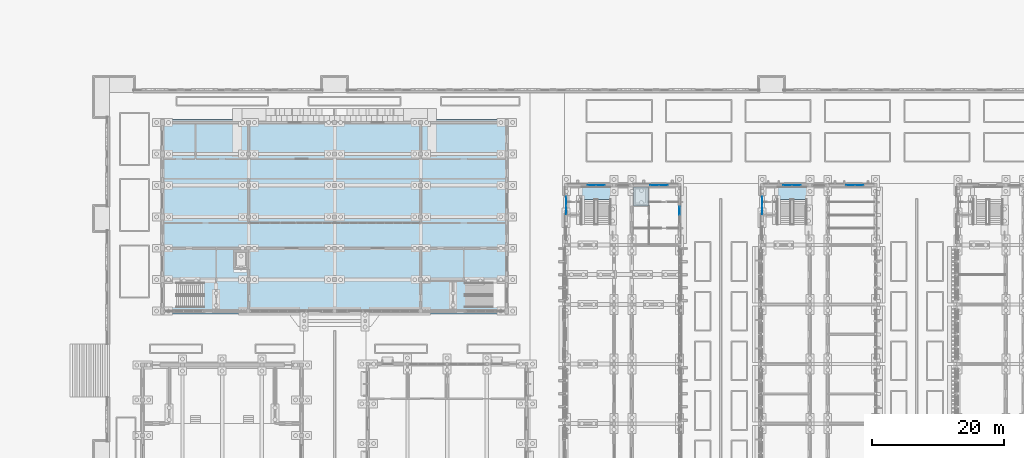
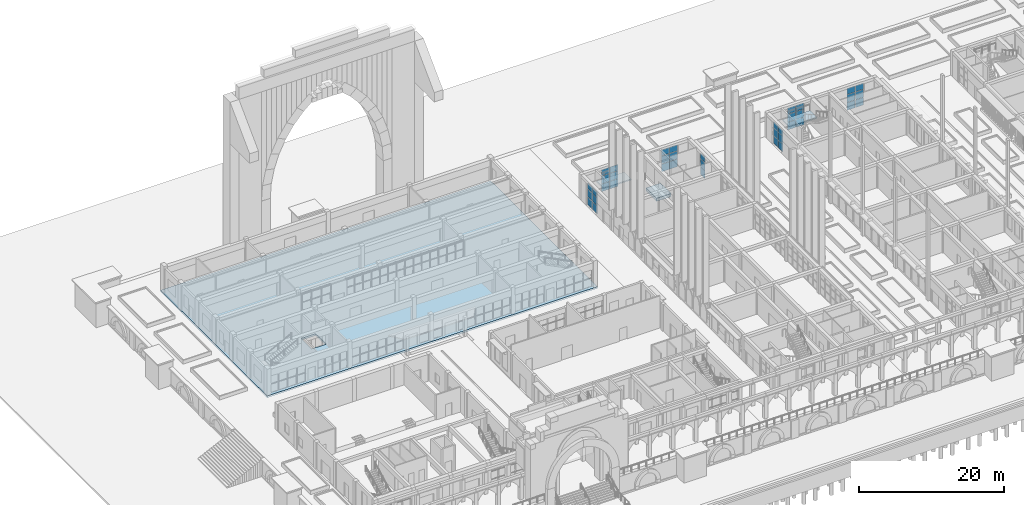
# One storey, part 48 of 161: 39 plates, 4 slabs, 9 elements without a shape of their own.
"""IFC4 building model written with IfcOpenShell, lengths in metres."""

from ifc_helpers import new_model, si_unit, direction, frame, origin, origin_2d, place, context, subcontext, project, spatial, polyline, rectangle, outline, extrude, material, layer, layer_set, type_object, element, aggregate, save


model = new_model("IFC4")

# Units and contexts
model_context = context("Model", 3, precision=1e-05, world=origin(), true_north=direction((0.0, 1.0)))
body_context = subcontext(model_context, "Body", "Model", "MODEL_VIEW")
ifc_project = project(units=[si_unit("LENGTHUNIT", "METRE"), si_unit("AREAUNIT", "SQUARE_METRE"), si_unit("VOLUMEUNIT", "CUBIC_METRE"), si_unit("PLANEANGLEUNIT", "RADIAN"), si_unit("MASSUNIT", "GRAM", prefix="KILO")], contexts=[model_context])

# Site, building, storey
site_placement = place(None, origin())
site = spatial("IfcSite", under=ifc_project, at=site_placement, CompositionType="ELEMENT")
building_placement = place(site_placement, origin())
building = spatial("IfcBuilding", under=site, at=building_placement, Name="Elbe Cascade School", CompositionType="ELEMENT")
storey_placement = place(building_placement, origin())
storey = spatial("IfcBuildingStorey", under=building, at=storey_placement, Name="L00", CompositionType="ELEMENT", Elevation=0.0)

# Stair, slab
ifc_material_1 = material(Name="Concrete C30/37", Category="concrete")
stair_type = type_object("IfcStairType", Name="Bar stair RC 150", PredefinedType="HALF_TURN_STAIR", material=ifc_material_1)
stair_1_placement = place(storey_placement, origin())
stair_1 = element("IfcStair", 1, at=stair_1_placement, inside=storey, type_object=stair_type, Name="Stair A0.N", PredefinedType="HALF_TURN_STAIR")
ifc_material_2 = material(Name="Concrete C30/37", Category="concrete")
ifc_layer_1 = layer(ifc_material_2, 0.199951171875)
ifc_layer_set_1 = layer_set([ifc_layer_1], Name="Concrete C30/37")
slab_type_1 = type_object("IfcSlabType", Name="Bar stair landing RC 200", PredefinedType="LANDING", material=ifc_layer_set_1)
slab_1_placement = place(storey_placement, frame((0.0, 0.0, 2.050048828125)))
slab_1 = element("IfcSlab", 2, at=slab_1_placement, type_object=slab_type_1, Name="ST3 landing 1", PredefinedType="LANDING", context=body_context, shape_type="SweptSolid", body=[
    extrude(outline(polyline([(71.300048828125, 57.8701171875), (75.699951171875, 57.8701171875), (75.699951171875, 59.820068359375), (71.300048828125, 59.820068359375), (71.300048828125, 57.8701171875)])), origin(), (0.0, 0.0, 1.0), 0.199951171875),
])
aggregate(stair_1, [slab_1])

stair_2_placement = place(storey_placement, origin())
stair_2 = element("IfcStair", 3, at=stair_2_placement, inside=storey, type_object=stair_type, Name="Stair B0.N", PredefinedType="HALF_TURN_STAIR")
slab_2_placement = place(storey_placement, frame((0.0, 0.0, 2.050048828125)))
slab_2 = element("IfcSlab", 4, at=slab_2_placement, type_object=slab_type_1, Name="ST3 landing 1", PredefinedType="LANDING", context=body_context, shape_type="SweptSolid", body=[
    extrude(outline(polyline([(100.89990234375, 57.8701171875), (105.300048828125, 57.8701171875), (105.300048828125, 59.820068359375), (100.89990234375, 59.820068359375), (100.89990234375, 57.8701171875)])), origin(), (0.0, 0.0, 1.0), 0.199951171875),
])
aggregate(stair_2, [slab_2])

# Curtain wall, plates
ifc_material_3 = material(Name="Aluminium frame with double glazing, bronze anodised", Category="aluminium")
ifc_layer_2 = layer(ifc_material_3, 0.199951171875)
ifc_layer_set_2 = layer_set([ifc_layer_2], Name="Aluminium frame with double glazing, bronze anodised")
curtain_wall_type = type_object("IfcCurtainWallType", Name="Bars envelope Curtain wall, aluminium, bronze anodised, ground floor tall run", PredefinedType="NOTDEFINED", material=ifc_layer_set_2)
curtain_wall_1_placement = place(storey_placement, origin())
curtain_wall_1 = element("IfcCurtainWall", 5, at=curtain_wall_1_placement, inside=storey, type_object=curtain_wall_type, Name="Curtain wall CW3 A.L00.w6", PredefinedType="NOTDEFINED")
ifc_material_4 = material(Name="Glass - double glazed low-E", Category="glass")
ifc_layer_3 = layer(ifc_material_4, 0.035888671875)
ifc_layer_set_3 = layer_set([ifc_layer_3], Name="Glass - double glazed low-E")
plate_type = type_object("IfcPlateType", Name="Bars envelope Curtain wall glazing panel 36 mm, double glazed, ground floor tall run", PredefinedType="CURTAIN_PANEL", material=ifc_layer_set_3)
plate_1_placement = place(storey_placement, frame((69.0, 56.300048828125, 0.06005859375), z_axis=(0.0, 0.0, 1.0), x_axis=(0.0, 1.0, 0.0)))
plate_1 = element("IfcPlate", 6, at=plate_1_placement, type_object=plate_type, Name="CW3 panel 1.1", PredefinedType="CURTAIN_PANEL", context=body_context, shape_type="SweptSolid", body=[
    extrude(rectangle(XDim=1.260009765625, YDim=0.035888671875, at=origin_2d()), origin(), (0.0, 0.0, 1.0), 1.260009765625),
])
plate_2_placement = place(storey_placement, frame((69.0, 56.300048828125, 1.3798828125), z_axis=(0.0, 0.0, 1.0), x_axis=(0.0, 1.0, 0.0)))
plate_2 = element("IfcPlate", 7, at=plate_2_placement, type_object=plate_type, Name="CW3 panel 1.2", PredefinedType="CURTAIN_PANEL", context=body_context, shape_type="SweptSolid", body=[
    extrude(rectangle(XDim=1.260009765625, YDim=0.035888671875, at=origin_2d()), origin(), (0.0, 0.0, 1.0), 1.2900390625),
])
plate_3_placement = place(storey_placement, frame((69.0, 56.300048828125, 2.72998046875), z_axis=(0.0, 0.0, 1.0), x_axis=(0.0, 1.0, 0.0)))
plate_3 = element("IfcPlate", 8, at=plate_3_placement, type_object=plate_type, Name="CW3 panel 1.3", PredefinedType="CURTAIN_PANEL", context=body_context, shape_type="SweptSolid", body=[
    extrude(rectangle(XDim=1.260009765625, YDim=0.035888671875, at=origin_2d()), origin(), (0.0, 0.0, 1.0), 0.9599609375),
])
plate_4_placement = place(storey_placement, frame((69.0, 57.6201171875, 0.06005859375), z_axis=(0.0, 0.0, 1.0), x_axis=(0.0, 1.0, 0.0)))
plate_4 = element("IfcPlate", 9, at=plate_4_placement, type_object=plate_type, Name="CW3 panel 2.1", PredefinedType="CURTAIN_PANEL", context=body_context, shape_type="SweptSolid", body=[
    extrude(rectangle(XDim=1.260009765625, YDim=0.035888671875, at=origin_2d()), origin(), (0.0, 0.0, 1.0), 1.260009765625),
])
plate_5_placement = place(storey_placement, frame((69.0, 57.6201171875, 1.3798828125), z_axis=(0.0, 0.0, 1.0), x_axis=(0.0, 1.0, 0.0)))
plate_5 = element("IfcPlate", 10, at=plate_5_placement, type_object=plate_type, Name="CW3 panel 2.2", PredefinedType="CURTAIN_PANEL", context=body_context, shape_type="SweptSolid", body=[
    extrude(rectangle(XDim=1.260009765625, YDim=0.035888671875, at=origin_2d()), origin(), (0.0, 0.0, 1.0), 1.2900390625),
])
plate_6_placement = place(storey_placement, frame((69.0, 57.6201171875, 2.72998046875), z_axis=(0.0, 0.0, 1.0), x_axis=(0.0, 1.0, 0.0)))
plate_6 = element("IfcPlate", 11, at=plate_6_placement, type_object=plate_type, Name="CW3 panel 2.3", PredefinedType="CURTAIN_PANEL", context=body_context, shape_type="SweptSolid", body=[
    extrude(rectangle(XDim=1.260009765625, YDim=0.035888671875, at=origin_2d()), origin(), (0.0, 0.0, 1.0), 0.9599609375),
])
aggregate(curtain_wall_1, [plate_1, plate_2, plate_3, plate_4, plate_5, plate_6])

curtain_wall_2_placement = place(storey_placement, origin())
curtain_wall_2 = element("IfcCurtainWall", 12, at=curtain_wall_2_placement, inside=storey, type_object=curtain_wall_type, Name="Curtain wall CW3 A.L00.e6", PredefinedType="NOTDEFINED")
plate_7_placement = place(storey_placement, frame((86.10009765625, 56.159912109375, 0.06005859375), z_axis=(0.0, 0.0, 1.0), x_axis=(0.0, -1.0, 0.0)))
plate_7 = element("IfcPlate", 13, at=plate_7_placement, type_object=plate_type, Name="CW3 panel 1.1", PredefinedType="CURTAIN_PANEL", context=body_context, shape_type="SweptSolid", body=[
    extrude(rectangle(XDim=1.260009765625, YDim=0.035888671875, at=origin_2d()), origin(), (0.0, 0.0, 1.0), 1.260009765625),
])
plate_8_placement = place(storey_placement, frame((86.10009765625, 56.159912109375, 1.3798828125), z_axis=(0.0, 0.0, 1.0), x_axis=(0.0, -1.0, 0.0)))
plate_8 = element("IfcPlate", 14, at=plate_8_placement, type_object=plate_type, Name="CW3 panel 1.2", PredefinedType="CURTAIN_PANEL", context=body_context, shape_type="SweptSolid", body=[
    extrude(rectangle(XDim=1.260009765625, YDim=0.035888671875, at=origin_2d()), origin(), (0.0, 0.0, 1.0), 1.2900390625),
])
plate_9_placement = place(storey_placement, frame((86.10009765625, 56.159912109375, 2.72998046875), z_axis=(0.0, 0.0, 1.0), x_axis=(0.0, -1.0, 0.0)))
plate_9 = element("IfcPlate", 15, at=plate_9_placement, type_object=plate_type, Name="CW3 panel 1.3", PredefinedType="CURTAIN_PANEL", context=body_context, shape_type="SweptSolid", body=[
    extrude(rectangle(XDim=1.260009765625, YDim=0.035888671875, at=origin_2d()), origin(), (0.0, 0.0, 1.0), 0.9599609375),
])
aggregate(curtain_wall_2, [plate_7, plate_8, plate_9])

curtain_wall_3_placement = place(storey_placement, origin())
curtain_wall_3 = element("IfcCurtainWall", 16, at=curtain_wall_3_placement, inside=storey, type_object=curtain_wall_type, Name="Curtain wall CW3 A.L00.n1", PredefinedType="NOTDEFINED")
plate_10_placement = place(storey_placement, frame((72.840087890625, 60.0, 0.06005859375), z_axis=(0.0, 0.0, 1.0), x_axis=(1.0, 0.0, 0.0)))
plate_10 = element("IfcPlate", 17, at=plate_10_placement, type_object=plate_type, Name="CW3 panel 1.1", PredefinedType="CURTAIN_PANEL", context=body_context, shape_type="SweptSolid", body=[
    extrude(rectangle(XDim=1.260009765625, YDim=0.035888671875, at=origin_2d()), origin(), (0.0, 0.0, 1.0), 1.260009765625),
])
plate_11_placement = place(storey_placement, frame((72.840087890625, 60.0, 1.3798828125), z_axis=(0.0, 0.0, 1.0), x_axis=(1.0, 0.0, 0.0)))
plate_11 = element("IfcPlate", 18, at=plate_11_placement, type_object=plate_type, Name="CW3 panel 1.2", PredefinedType="CURTAIN_PANEL", context=body_context, shape_type="SweptSolid", body=[
    extrude(rectangle(XDim=1.260009765625, YDim=0.035888671875, at=origin_2d()), origin(), (0.0, 0.0, 1.0), 1.2900390625),
])
plate_12_placement = place(storey_placement, frame((72.840087890625, 60.0, 2.72998046875), z_axis=(0.0, 0.0, 1.0), x_axis=(1.0, 0.0, 0.0)))
plate_12 = element("IfcPlate", 19, at=plate_12_placement, type_object=plate_type, Name="CW3 panel 1.3", PredefinedType="CURTAIN_PANEL", context=body_context, shape_type="SweptSolid", body=[
    extrude(rectangle(XDim=1.260009765625, YDim=0.035888671875, at=origin_2d()), origin(), (0.0, 0.0, 1.0), 1.010009765625),
])
plate_13_placement = place(storey_placement, frame((74.159912109375, 60.0, 0.06005859375), z_axis=(0.0, 0.0, 1.0), x_axis=(1.0, 0.0, 0.0)))
plate_13 = element("IfcPlate", 20, at=plate_13_placement, type_object=plate_type, Name="CW3 panel 2.1", PredefinedType="CURTAIN_PANEL", context=body_context, shape_type="SweptSolid", body=[
    extrude(rectangle(XDim=1.260009765625, YDim=0.035888671875, at=origin_2d()), origin(), (0.0, 0.0, 1.0), 1.260009765625),
])
plate_14_placement = place(storey_placement, frame((74.159912109375, 60.0, 1.3798828125), z_axis=(0.0, 0.0, 1.0), x_axis=(1.0, 0.0, 0.0)))
plate_14 = element("IfcPlate", 21, at=plate_14_placement, type_object=plate_type, Name="CW3 panel 2.2", PredefinedType="CURTAIN_PANEL", context=body_context, shape_type="SweptSolid", body=[
    extrude(rectangle(XDim=1.260009765625, YDim=0.035888671875, at=origin_2d()), origin(), (0.0, 0.0, 1.0), 1.2900390625),
])
plate_15_placement = place(storey_placement, frame((74.159912109375, 60.0, 2.72998046875), z_axis=(0.0, 0.0, 1.0), x_axis=(1.0, 0.0, 0.0)))
plate_15 = element("IfcPlate", 22, at=plate_15_placement, type_object=plate_type, Name="CW3 panel 2.3", PredefinedType="CURTAIN_PANEL", context=body_context, shape_type="SweptSolid", body=[
    extrude(rectangle(XDim=1.260009765625, YDim=0.035888671875, at=origin_2d()), origin(), (0.0, 0.0, 1.0), 1.010009765625),
])
aggregate(curtain_wall_3, [plate_10, plate_11, plate_12, plate_13, plate_14, plate_15])

curtain_wall_4_placement = place(storey_placement, origin())
curtain_wall_4 = element("IfcCurtainWall", 23, at=curtain_wall_4_placement, inside=storey, type_object=curtain_wall_type, Name="Curtain wall CW3 A.L00.n3", PredefinedType="NOTDEFINED")
plate_16_placement = place(storey_placement, frame((82.340087890625, 60.0, 0.06005859375), z_axis=(0.0, 0.0, 1.0), x_axis=(1.0, 0.0, 0.0)))
plate_16 = element("IfcPlate", 24, at=plate_16_placement, type_object=plate_type, Name="CW3 panel 1.1", PredefinedType="CURTAIN_PANEL", context=body_context, shape_type="SweptSolid", body=[
    extrude(rectangle(XDim=1.260009765625, YDim=0.035888671875, at=origin_2d()), origin(), (0.0, 0.0, 1.0), 1.260009765625),
])
plate_17_placement = place(storey_placement, frame((82.340087890625, 60.0, 1.3798828125), z_axis=(0.0, 0.0, 1.0), x_axis=(1.0, 0.0, 0.0)))
plate_17 = element("IfcPlate", 25, at=plate_17_placement, type_object=plate_type, Name="CW3 panel 1.2", PredefinedType="CURTAIN_PANEL", context=body_context, shape_type="SweptSolid", body=[
    extrude(rectangle(XDim=1.260009765625, YDim=0.035888671875, at=origin_2d()), origin(), (0.0, 0.0, 1.0), 1.2900390625),
])
plate_18_placement = place(storey_placement, frame((82.340087890625, 60.0, 2.72998046875), z_axis=(0.0, 0.0, 1.0), x_axis=(1.0, 0.0, 0.0)))
plate_18 = element("IfcPlate", 26, at=plate_18_placement, type_object=plate_type, Name="CW3 panel 1.3", PredefinedType="CURTAIN_PANEL", context=body_context, shape_type="SweptSolid", body=[
    extrude(rectangle(XDim=1.260009765625, YDim=0.035888671875, at=origin_2d()), origin(), (0.0, 0.0, 1.0), 1.010009765625),
])
plate_19_placement = place(storey_placement, frame((83.659912109375, 60.0, 0.06005859375), z_axis=(0.0, 0.0, 1.0), x_axis=(1.0, 0.0, 0.0)))
plate_19 = element("IfcPlate", 27, at=plate_19_placement, type_object=plate_type, Name="CW3 panel 2.1", PredefinedType="CURTAIN_PANEL", context=body_context, shape_type="SweptSolid", body=[
    extrude(rectangle(XDim=1.260009765625, YDim=0.035888671875, at=origin_2d()), origin(), (0.0, 0.0, 1.0), 1.260009765625),
])
plate_20_placement = place(storey_placement, frame((83.659912109375, 60.0, 1.3798828125), z_axis=(0.0, 0.0, 1.0), x_axis=(1.0, 0.0, 0.0)))
plate_20 = element("IfcPlate", 28, at=plate_20_placement, type_object=plate_type, Name="CW3 panel 2.2", PredefinedType="CURTAIN_PANEL", context=body_context, shape_type="SweptSolid", body=[
    extrude(rectangle(XDim=1.260009765625, YDim=0.035888671875, at=origin_2d()), origin(), (0.0, 0.0, 1.0), 1.2900390625),
])
plate_21_placement = place(storey_placement, frame((83.659912109375, 60.0, 2.72998046875), z_axis=(0.0, 0.0, 1.0), x_axis=(1.0, 0.0, 0.0)))
plate_21 = element("IfcPlate", 29, at=plate_21_placement, type_object=plate_type, Name="CW3 panel 2.3", PredefinedType="CURTAIN_PANEL", context=body_context, shape_type="SweptSolid", body=[
    extrude(rectangle(XDim=1.260009765625, YDim=0.035888671875, at=origin_2d()), origin(), (0.0, 0.0, 1.0), 1.010009765625),
])
aggregate(curtain_wall_4, [plate_16, plate_17, plate_18, plate_19, plate_20, plate_21])

curtain_wall_5_placement = place(storey_placement, origin())
curtain_wall_5 = element("IfcCurtainWall", 30, at=curtain_wall_5_placement, inside=storey, type_object=curtain_wall_type, Name="Curtain wall CW3 B.L00.w6", PredefinedType="NOTDEFINED")
plate_22_placement = place(storey_placement, frame((98.60009765625, 56.300048828125, 0.06005859375), z_axis=(0.0, 0.0, 1.0), x_axis=(0.0, 1.0, 0.0)))
plate_22 = element("IfcPlate", 31, at=plate_22_placement, type_object=plate_type, Name="CW3 panel 1.1", PredefinedType="CURTAIN_PANEL", context=body_context, shape_type="SweptSolid", body=[
    extrude(rectangle(XDim=1.260009765625, YDim=0.035888671875, at=origin_2d()), origin(), (0.0, 0.0, 1.0), 1.260009765625),
])
plate_23_placement = place(storey_placement, frame((98.60009765625, 56.300048828125, 1.3798828125), z_axis=(0.0, 0.0, 1.0), x_axis=(0.0, 1.0, 0.0)))
plate_23 = element("IfcPlate", 32, at=plate_23_placement, type_object=plate_type, Name="CW3 panel 1.2", PredefinedType="CURTAIN_PANEL", context=body_context, shape_type="SweptSolid", body=[
    extrude(rectangle(XDim=1.260009765625, YDim=0.035888671875, at=origin_2d()), origin(), (0.0, 0.0, 1.0), 1.2900390625),
])
plate_24_placement = place(storey_placement, frame((98.60009765625, 56.300048828125, 2.72998046875), z_axis=(0.0, 0.0, 1.0), x_axis=(0.0, 1.0, 0.0)))
plate_24 = element("IfcPlate", 33, at=plate_24_placement, type_object=plate_type, Name="CW3 panel 1.3", PredefinedType="CURTAIN_PANEL", context=body_context, shape_type="SweptSolid", body=[
    extrude(rectangle(XDim=1.260009765625, YDim=0.035888671875, at=origin_2d()), origin(), (0.0, 0.0, 1.0), 0.9599609375),
])
plate_25_placement = place(storey_placement, frame((98.60009765625, 57.6201171875, 0.06005859375), z_axis=(0.0, 0.0, 1.0), x_axis=(0.0, 1.0, 0.0)))
plate_25 = element("IfcPlate", 34, at=plate_25_placement, type_object=plate_type, Name="CW3 panel 2.1", PredefinedType="CURTAIN_PANEL", context=body_context, shape_type="SweptSolid", body=[
    extrude(rectangle(XDim=1.260009765625, YDim=0.035888671875, at=origin_2d()), origin(), (0.0, 0.0, 1.0), 1.260009765625),
])
plate_26_placement = place(storey_placement, frame((98.60009765625, 57.6201171875, 1.3798828125), z_axis=(0.0, 0.0, 1.0), x_axis=(0.0, 1.0, 0.0)))
plate_26 = element("IfcPlate", 35, at=plate_26_placement, type_object=plate_type, Name="CW3 panel 2.2", PredefinedType="CURTAIN_PANEL", context=body_context, shape_type="SweptSolid", body=[
    extrude(rectangle(XDim=1.260009765625, YDim=0.035888671875, at=origin_2d()), origin(), (0.0, 0.0, 1.0), 1.2900390625),
])
plate_27_placement = place(storey_placement, frame((98.60009765625, 57.6201171875, 2.72998046875), z_axis=(0.0, 0.0, 1.0), x_axis=(0.0, 1.0, 0.0)))
plate_27 = element("IfcPlate", 36, at=plate_27_placement, type_object=plate_type, Name="CW3 panel 2.3", PredefinedType="CURTAIN_PANEL", context=body_context, shape_type="SweptSolid", body=[
    extrude(rectangle(XDim=1.260009765625, YDim=0.035888671875, at=origin_2d()), origin(), (0.0, 0.0, 1.0), 0.9599609375),
])
aggregate(curtain_wall_5, [plate_22, plate_23, plate_24, plate_25, plate_26, plate_27])

curtain_wall_6_placement = place(storey_placement, origin())
curtain_wall_6 = element("IfcCurtainWall", 37, at=curtain_wall_6_placement, inside=storey, type_object=curtain_wall_type, Name="Curtain wall CW3 B.L00.n1", PredefinedType="NOTDEFINED")
plate_28_placement = place(storey_placement, frame((102.43994140625, 60.0, 0.06005859375), z_axis=(0.0, 0.0, 1.0), x_axis=(1.0, 0.0, 0.0)))
plate_28 = element("IfcPlate", 38, at=plate_28_placement, type_object=plate_type, Name="CW3 panel 1.1", PredefinedType="CURTAIN_PANEL", context=body_context, shape_type="SweptSolid", body=[
    extrude(rectangle(XDim=1.260009765625, YDim=0.035888671875, at=origin_2d()), origin(), (0.0, 0.0, 1.0), 1.260009765625),
])
plate_29_placement = place(storey_placement, frame((102.43994140625, 60.0, 1.3798828125), z_axis=(0.0, 0.0, 1.0), x_axis=(1.0, 0.0, 0.0)))
plate_29 = element("IfcPlate", 39, at=plate_29_placement, type_object=plate_type, Name="CW3 panel 1.2", PredefinedType="CURTAIN_PANEL", context=body_context, shape_type="SweptSolid", body=[
    extrude(rectangle(XDim=1.260009765625, YDim=0.035888671875, at=origin_2d()), origin(), (0.0, 0.0, 1.0), 1.2900390625),
])
plate_30_placement = place(storey_placement, frame((102.43994140625, 60.0, 2.72998046875), z_axis=(0.0, 0.0, 1.0), x_axis=(1.0, 0.0, 0.0)))
plate_30 = element("IfcPlate", 40, at=plate_30_placement, type_object=plate_type, Name="CW3 panel 1.3", PredefinedType="CURTAIN_PANEL", context=body_context, shape_type="SweptSolid", body=[
    extrude(rectangle(XDim=1.260009765625, YDim=0.035888671875, at=origin_2d()), origin(), (0.0, 0.0, 1.0), 1.010009765625),
])
plate_31_placement = place(storey_placement, frame((103.760009765625, 60.0, 0.06005859375), z_axis=(0.0, 0.0, 1.0), x_axis=(1.0, 0.0, 0.0)))
plate_31 = element("IfcPlate", 41, at=plate_31_placement, type_object=plate_type, Name="CW3 panel 2.1", PredefinedType="CURTAIN_PANEL", context=body_context, shape_type="SweptSolid", body=[
    extrude(rectangle(XDim=1.260009765625, YDim=0.035888671875, at=origin_2d()), origin(), (0.0, 0.0, 1.0), 1.260009765625),
])
plate_32_placement = place(storey_placement, frame((103.760009765625, 60.0, 1.3798828125), z_axis=(0.0, 0.0, 1.0), x_axis=(1.0, 0.0, 0.0)))
plate_32 = element("IfcPlate", 42, at=plate_32_placement, type_object=plate_type, Name="CW3 panel 2.2", PredefinedType="CURTAIN_PANEL", context=body_context, shape_type="SweptSolid", body=[
    extrude(rectangle(XDim=1.260009765625, YDim=0.035888671875, at=origin_2d()), origin(), (0.0, 0.0, 1.0), 1.2900390625),
])
plate_33_placement = place(storey_placement, frame((103.760009765625, 60.0, 2.72998046875), z_axis=(0.0, 0.0, 1.0), x_axis=(1.0, 0.0, 0.0)))
plate_33 = element("IfcPlate", 43, at=plate_33_placement, type_object=plate_type, Name="CW3 panel 2.3", PredefinedType="CURTAIN_PANEL", context=body_context, shape_type="SweptSolid", body=[
    extrude(rectangle(XDim=1.260009765625, YDim=0.035888671875, at=origin_2d()), origin(), (0.0, 0.0, 1.0), 1.010009765625),
])
aggregate(curtain_wall_6, [plate_28, plate_29, plate_30, plate_31, plate_32, plate_33])

curtain_wall_7_placement = place(storey_placement, origin())
curtain_wall_7 = element("IfcCurtainWall", 44, at=curtain_wall_7_placement, inside=storey, type_object=curtain_wall_type, Name="Curtain wall CW3 B.L00.n3", PredefinedType="NOTDEFINED")
plate_34_placement = place(storey_placement, frame((111.93994140625, 60.0, 0.06005859375), z_axis=(0.0, 0.0, 1.0), x_axis=(1.0, 0.0, 0.0)))
plate_34 = element("IfcPlate", 45, at=plate_34_placement, type_object=plate_type, Name="CW3 panel 1.1", PredefinedType="CURTAIN_PANEL", context=body_context, shape_type="SweptSolid", body=[
    extrude(rectangle(XDim=1.260009765625, YDim=0.035888671875, at=origin_2d()), origin(), (0.0, 0.0, 1.0), 1.260009765625),
])
plate_35_placement = place(storey_placement, frame((111.93994140625, 60.0, 1.3798828125), z_axis=(0.0, 0.0, 1.0), x_axis=(1.0, 0.0, 0.0)))
plate_35 = element("IfcPlate", 46, at=plate_35_placement, type_object=plate_type, Name="CW3 panel 1.2", PredefinedType="CURTAIN_PANEL", context=body_context, shape_type="SweptSolid", body=[
    extrude(rectangle(XDim=1.260009765625, YDim=0.035888671875, at=origin_2d()), origin(), (0.0, 0.0, 1.0), 1.2900390625),
])
plate_36_placement = place(storey_placement, frame((111.93994140625, 60.0, 2.72998046875), z_axis=(0.0, 0.0, 1.0), x_axis=(1.0, 0.0, 0.0)))
plate_36 = element("IfcPlate", 47, at=plate_36_placement, type_object=plate_type, Name="CW3 panel 1.3", PredefinedType="CURTAIN_PANEL", context=body_context, shape_type="SweptSolid", body=[
    extrude(rectangle(XDim=1.260009765625, YDim=0.035888671875, at=origin_2d()), origin(), (0.0, 0.0, 1.0), 1.010009765625),
])
plate_37_placement = place(storey_placement, frame((113.260009765625, 60.0, 0.06005859375), z_axis=(0.0, 0.0, 1.0), x_axis=(1.0, 0.0, 0.0)))
plate_37 = element("IfcPlate", 48, at=plate_37_placement, type_object=plate_type, Name="CW3 panel 2.1", PredefinedType="CURTAIN_PANEL", context=body_context, shape_type="SweptSolid", body=[
    extrude(rectangle(XDim=1.260009765625, YDim=0.035888671875, at=origin_2d()), origin(), (0.0, 0.0, 1.0), 1.260009765625),
])
plate_38_placement = place(storey_placement, frame((113.260009765625, 60.0, 1.3798828125), z_axis=(0.0, 0.0, 1.0), x_axis=(1.0, 0.0, 0.0)))
plate_38 = element("IfcPlate", 49, at=plate_38_placement, type_object=plate_type, Name="CW3 panel 2.2", PredefinedType="CURTAIN_PANEL", context=body_context, shape_type="SweptSolid", body=[
    extrude(rectangle(XDim=1.260009765625, YDim=0.035888671875, at=origin_2d()), origin(), (0.0, 0.0, 1.0), 1.2900390625),
])
plate_39_placement = place(storey_placement, frame((113.260009765625, 60.0, 2.72998046875), z_axis=(0.0, 0.0, 1.0), x_axis=(1.0, 0.0, 0.0)))
plate_39 = element("IfcPlate", 50, at=plate_39_placement, type_object=plate_type, Name="CW3 panel 2.3", PredefinedType="CURTAIN_PANEL", context=body_context, shape_type="SweptSolid", body=[
    extrude(rectangle(XDim=1.260009765625, YDim=0.035888671875, at=origin_2d()), origin(), (0.0, 0.0, 1.0), 1.010009765625),
])
aggregate(curtain_wall_7, [plate_34, plate_35, plate_36, plate_37, plate_38, plate_39])

# Slabs
ifc_material_5 = material(Name="Concrete C30/37", Category="concrete")
ifc_layer_4 = layer(ifc_material_5, 0.300048828125)
ifc_layer_set_4 = layer_set([ifc_layer_4], Name="Concrete C30/37")
slab_type_2 = type_object("IfcSlabType", Name="Hall ground slab Concrete C30/37", PredefinedType="BASESLAB", material=ifc_layer_set_4)
slab_3_placement = place(storey_placement, frame((0.0, 0.0, -0.300048828125)))
element("IfcSlab", 51, at=slab_3_placement, inside=storey, type_object=slab_type_2, Name="Hall ground slab", PredefinedType="BASESLAB", context=body_context, shape_type="SweptSolid", body=[
    extrude(outline(polyline([(7.699951171875, 40.550048828125), (60.300048828125, 40.550048828125), (60.300048828125, 69.949951171875), (7.699951171875, 69.949951171875), (7.699951171875, 40.550048828125)]), holes=[polyline([(18.699951171875, 47.300048828125), (21.0, 47.300048828125), (21.0, 50.199951171875), (18.699951171875, 50.199951171875), (18.699951171875, 47.300048828125)])]), origin(), (0.0, 0.0, 1.0), 0.300048828125),
])
ifc_material_6 = material(Name="Concrete C35/45", Category="concrete")
ifc_layer_5 = layer(ifc_material_6, 0.5)
ifc_layer_set_5 = layer_set([ifc_layer_5], Name="Concrete C35/45")
slab_type_3 = type_object("IfcSlabType", Name="Lift pit slab 500", PredefinedType="BASESLAB", material=ifc_layer_set_5)
slab_4_placement = place(storey_placement, frame((0.0, 0.0, -2.10009765625)))
element("IfcSlab", 52, at=slab_4_placement, inside=storey, type_object=slab_type_3, Name="Lift pit slab 500 S5", PredefinedType="BASESLAB", context=body_context, shape_type="SweptSolid", body=[
    extrude(outline(polyline([(79.14990234375, 56.85009765625), (81.449951171875, 56.85009765625), (81.449951171875, 59.75), (79.14990234375, 59.75), (79.14990234375, 56.85009765625)])), origin(), (0.0, 0.0, 1.0), 0.5),
])

save(model, "model.ifc")
